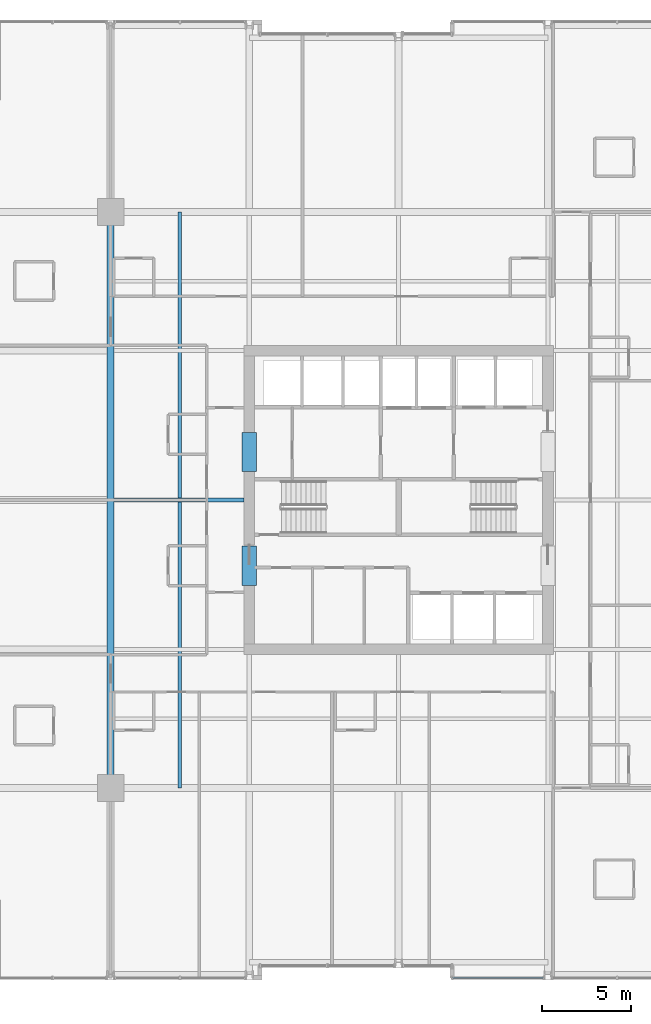
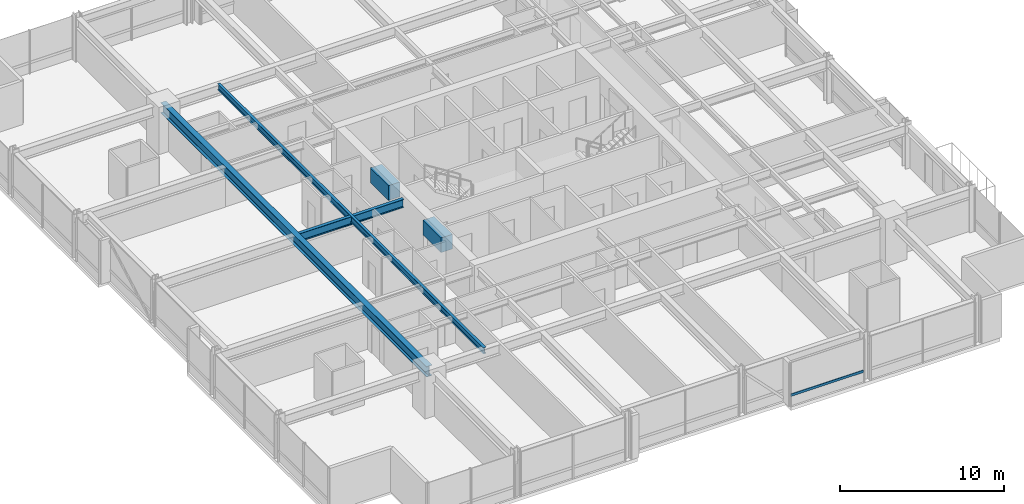
# One storey, part 10 of 34: 5 beams, 1 member, 1 element without a shape of its own.
"""IFC4 building model written with IfcOpenShell, lengths in metres."""

from ifc_helpers import new_model, si_unit, direction, frame, origin, origin_2d, place, context, subcontext, project, spatial, rectangle, hollow_rectangle, i_section, extrude, material, layer, layer_set, material_profile, profile_set, type_object, element, aggregate, save


model = new_model("IFC4")

# Units and contexts
model_context = context("Model", 3, precision=1e-05, world=origin(), true_north=direction((0.0, 1.0)))
body_context = subcontext(model_context, "Body", "Model", "MODEL_VIEW")
ifc_project = project(units=[si_unit("LENGTHUNIT", "METRE"), si_unit("AREAUNIT", "SQUARE_METRE"), si_unit("VOLUMEUNIT", "CUBIC_METRE"), si_unit("PLANEANGLEUNIT", "RADIAN"), si_unit("MASSUNIT", "GRAM", prefix="KILO")], contexts=[model_context])

# Site, building, storey
site_placement = place(None, origin())
site = spatial("IfcSite", under=ifc_project, at=site_placement, CompositionType="ELEMENT")
building_placement = place(site_placement, origin())
building = spatial("IfcBuilding", under=site, at=building_placement, Name="Drelvath Grand Hotel", CompositionType="ELEMENT")
storey_placement = place(building_placement, frame((0.0, 0.0, 116.300048828125)))
storey = spatial("IfcBuildingStorey", under=building, at=storey_placement, Name="L29", CompositionType="ELEMENT", Elevation=116.300048828125)

# Beams
ifc_material_1 = material(Name="Steel ASTM A992 Gr 50", Category="steel")
ifc_material_profile_1 = material_profile(ifc_material_1, i_section(OverallWidth=0.19140625, OverallDepth=0.4599609375, WebThickness=0.010009765625, FlangeThickness=0.01611328125, FilletRadius=0.01611328125, at=origin_2d()), Name="W18X55")
ifc_profile_set_1 = profile_set([ifc_material_profile_1], Name="Steel ASTM A992 Gr 50")
beam_type_1 = type_object("IfcBeamType", Name="Composite Floor Joist W18X55", PredefinedType="JOIST", material=ifc_profile_set_1)
beam_1_placement = place(storey_placement, frame((-12.300048828125, 10.800048828125, 3.010009765625), z_axis=(0.0, 1.0, 0.0), x_axis=(-1.0, 0.0, 0.0)))
element("IfcBeam", 1, at=beam_1_placement, inside=storey, type_object=beam_type_1, Name="L29 Wing Floor Joist J3", PredefinedType="JOIST", context=body_context, shape_type="SweptSolid", body=[
    extrude(i_section(OverallWidth=0.19140625, OverallDepth=0.4599609375, WebThickness=0.010009765625, FlangeThickness=0.01611328125, FilletRadius=0.01611328125, at=origin_2d()), origin(), (0.0, 0.0, 1.0), 32.39990234375),
])
ifc_material_2 = material(Name="Concrete f'c 70 MPa", Category="concrete")
ifc_material_profile_2 = material_profile(ifc_material_2, rectangle(XDim=0.800048828125, YDim=1.10009765625, at=origin_2d()), Name="CB800X1100")
ifc_profile_set_2 = profile_set([ifc_material_profile_2], Name="Concrete f'c 70 MPa")
beam_type_2 = type_object("IfcBeamType", Name="Core Coupling Lintel CB800X1100", PredefinedType="LINTEL", material=ifc_profile_set_2)
for number, where, z_axis, x_axis, name in (
    (2, (-8.39990234375, 22.199951171875, 2.68994140625), (0.0, 1.0, 0.0), (-1.0, 0.0, 0.0), "L29 Core Coupling Lintel WS"),
    (3, (-8.39990234375, 28.60009765625, 2.68994140625), (0.0, 1.0, 0.0), (-1.0, 0.0, 0.0), "L29 Core Coupling Lintel WN"),
):
    element("IfcBeam", number, at=place(storey_placement, frame(where, z_axis=z_axis, x_axis=x_axis)), inside=storey, type_object=beam_type_2, Name=name, PredefinedType="LINTEL", context=body_context, shape_type="SweptSolid", body=[
        extrude(rectangle(XDim=0.800048828125, YDim=1.10009765625, at=origin_2d()), origin(), (0.0, 0.0, 1.0), 2.199951171875),
    ])

# Curtain wall, member
ifc_material_3 = material(Name="Champagne Bronze Anodised Aluminium Frame", Category="aluminium")
ifc_layer = layer(ifc_material_3, 0.199951171875)
ifc_layer_set = layer_set([ifc_layer], Name="Champagne Bronze Anodised Aluminium Frame")
curtain_wall_type = type_object("IfcCurtainWallType", Name="Stick Curtain Wall CW-03 Champagne Bronze Mid-Rise", PredefinedType="NOTDEFINED", material=ifc_layer_set)
curtain_wall_placement = place(storey_placement, origin())
curtain_wall = element("IfcCurtainWall", 4, at=curtain_wall_placement, inside=storey, type_object=curtain_wall_type, Name="L29 CW-03 Curtain Wall CW03-L29-SE1", PredefinedType="NOTDEFINED")
ifc_material_profile_3 = material_profile(ifc_material_3, hollow_rectangle(XDim=0.074951171875, YDim=0.179931640625, WallThickness=0.0048828125, at=origin_2d()), Name="HSS180X75X5")
ifc_profile_set_3 = profile_set([ifc_material_profile_3], Name="Champagne Bronze Anodised Aluminium Frame")
member_type = type_object("IfcMemberType", Name="Curtain Wall Horizontal Transom CW-03 HSS180X75X5", PredefinedType="USERDEFINED", material=ifc_profile_set_3)
member_placement = place(storey_placement, frame((8.140380859375, 0.1201171875, 0.81005859375), z_axis=(-1.0, 0.0, 0.0), x_axis=(0.0, -1.0, 0.0)))
member = element("IfcMember", 5, at=member_placement, type_object=member_type, Name="CW03-L29-SE1 Sill Transom", ObjectType="TRANSOM", PredefinedType="USERDEFINED", context=body_context, shape_type="SweptSolid", body=[
    extrude(hollow_rectangle(XDim=0.074951171875, YDim=0.179931640625, WallThickness=0.0048828125, at=origin_2d()), origin(), (0.0, 0.0, 1.0), 5.100341796875),
])
aggregate(curtain_wall, [member])

# Beams
ifc_material_profile_4 = material_profile(ifc_material_1, i_section(OverallWidth=0.228271484375, OverallDepth=0.607666015625, WebThickness=0.01123046875, FlangeThickness=0.017333984375, FilletRadius=0.02001953125, at=origin_2d()), Name="W24X76")
ifc_profile_set_4 = profile_set([ifc_material_profile_4], Name="Steel ASTM A992 Gr 50")
beam_type_3 = type_object("IfcBeamType", Name="Primary Floor Girder W24X76", PredefinedType="BEAM", material=ifc_profile_set_4)
beam_2_placement = place(storey_placement, frame((-16.009765625, 27.0, 2.93603515625), z_axis=(1.0, 0.0, 0.0), x_axis=(0.0, 1.0, 0.0)))
element("IfcBeam", 6, at=beam_2_placement, inside=storey, type_object=beam_type_3, Name="L29 West Core Tie E", PredefinedType="BEAM", context=body_context, shape_type="SweptSolid", body=[
    extrude(i_section(OverallWidth=0.228271484375, OverallDepth=0.607666015625, WebThickness=0.01123046875, FlangeThickness=0.017333984375, FilletRadius=0.02001953125, at=origin_2d()), origin(), (0.0, 0.0, 1.0), 7.309814453125),
])
ifc_material_profile_5 = material_profile(ifc_material_1, i_section(OverallWidth=0.380615234375, OverallDepth=0.773193359375, WebThickness=0.0166015625, FlangeThickness=0.027099609375, FilletRadius=0.02490234375, at=origin_2d()), Name="W30X173")
ifc_profile_set_5 = profile_set([ifc_material_profile_5], Name="Steel ASTM A992 Gr 50")
beam_type_4 = type_object("IfcBeamType", Name="Primary Floor Girder W30X173", PredefinedType="BEAM", material=ifc_profile_set_5)
beam_3_placement = place(storey_placement, frame((-16.199951171875, 10.800048828125, 2.853271484375), z_axis=(0.0, 1.0, 0.0), x_axis=(-1.0, 0.0, 0.0)))
element("IfcBeam", 7, at=beam_3_placement, inside=storey, type_object=beam_type_4, Name="L29 Mega Ring Girder West", PredefinedType="BEAM", context=body_context, shape_type="SweptSolid", body=[
    extrude(i_section(OverallWidth=0.380615234375, OverallDepth=0.773193359375, WebThickness=0.0166015625, FlangeThickness=0.027099609375, FilletRadius=0.02490234375, at=origin_2d()), origin(), (0.0, 0.0, 1.0), 32.39990234375),
])

save(model, "model.ifc")
